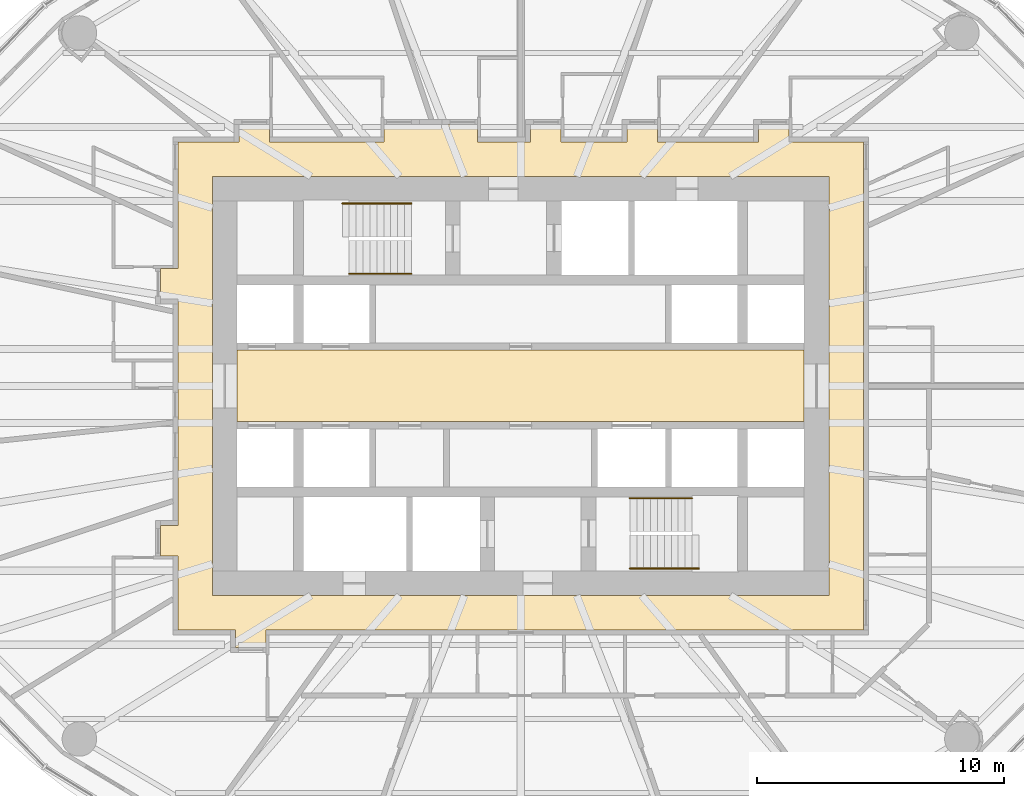
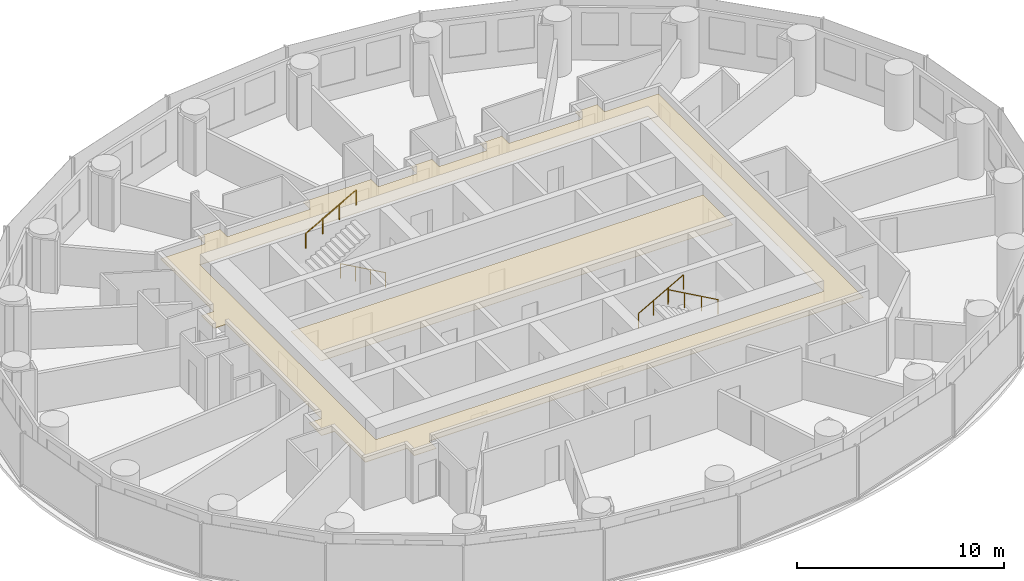
# One storey, part 14 of 14: 4 railings, 2 coverings.
"""IFC4 building model written with IfcOpenShell, lengths in metres."""

from ifc_helpers import new_model, si_unit, direction, frame, origin, origin_2d, place, context, subcontext, project, spatial, polyline, circle, outline, extrude, material, layer, layer_set, type_object, element, save


model = new_model("IFC4")

# Units and contexts
model_context = context("Model", 3, precision=1e-05, world=origin(), true_north=direction((0.0, 1.0)))
body_context = subcontext(model_context, "Body", "Model", "MODEL_VIEW")
ifc_project = project(units=[si_unit("LENGTHUNIT", "METRE"), si_unit("AREAUNIT", "SQUARE_METRE"), si_unit("VOLUMEUNIT", "CUBIC_METRE"), si_unit("PLANEANGLEUNIT", "RADIAN"), si_unit("MASSUNIT", "GRAM", prefix="KILO")], contexts=[model_context])

# Site, building, storey
site_placement = place(None, origin())
site = spatial("IfcSite", under=ifc_project, at=site_placement, CompositionType="ELEMENT")
building_placement = place(site_placement, origin())
building = spatial("IfcBuilding", under=site, at=building_placement, Name="Hankou Lantern Tower", CompositionType="ELEMENT")
storey_placement = place(building_placement, frame((0.0, 0.0, 87.0)))
storey = spatial("IfcBuildingStorey", under=building, at=storey_placement, Name="L22", CompositionType="ELEMENT", Elevation=87.0)

# Coverings
ifc_material_1 = material(Name="Black painted aluminium linear ceiling panels", Category="aluminium")
ifc_layer_1 = layer(ifc_material_1, 0.02490234375)
ifc_layer_set_1 = layer_set([ifc_layer_1], Name="Black painted aluminium linear ceiling panels")
covering_type_1 = type_object("IfcCoveringType", Name="CL1 CORRIDOR CEILING 25", PredefinedType="CEILING", material=ifc_layer_set_1)
covering_1_placement = place(storey_placement, frame((0.0, 0.0, 2.64501953125)))
element("IfcCovering", 1, at=covering_1_placement, inside=storey, type_object=covering_type_1, Name="Corridor ceiling L22", PredefinedType="CEILING", context=body_context, shape_type="SweptSolid", body=[
    extrude(outline(polyline([(-11.569091796875, -10.60009765625), (-10.3291015625, -10.60009765625), (-10.3291015625, -9.89990234375), (13.89990234375, -9.89990234375), (13.89990234375, 9.89990234375), (10.885009765625, 9.89990234375), (10.885009765625, 10.60009765625), (9.64501953125, 10.60009765625), (9.64501953125, 9.89990234375), (5.549072265625, 9.89990234375), (5.549072265625, 10.60009765625), (4.30908203125, 10.60009765625), (4.30908203125, 9.89990234375), (1.642822265625, 9.89990234375), (1.642822265625, 10.60009765625), (0.40283203125, 10.60009765625), (0.40283203125, 9.89990234375), (-1.739990234375, 9.89990234375), (-1.739990234375, 10.60009765625), (-5.549072265625, 10.60009765625), (-5.549072265625, 9.89990234375), (-10.178955078125, 9.89990234375), (-10.178955078125, 10.60009765625), (-11.4189453125, 10.60009765625), (-11.4189453125, 9.89990234375), (-13.89990234375, 9.89990234375), (-13.89990234375, 4.7724609375), (-14.60009765625, 4.7724609375), (-14.60009765625, 3.532470703125), (-13.89990234375, 3.532470703125), (-13.89990234375, -5.658935546875), (-14.60009765625, -5.658935546875), (-14.60009765625, -6.89892578125), (-13.89990234375, -6.89892578125), (-13.89990234375, -9.89990234375), (-11.569091796875, -9.89990234375), (-11.569091796875, -10.60009765625)]), holes=[polyline([(-12.5, 8.5), (12.5, 8.5), (12.5, -8.5), (-12.5, -8.5), (-12.5, 8.5)])]), origin(), (0.0, 0.0, 1.0), 0.02490234375),
])
ifc_material_2 = material(Name="Perforated black aluminium acoustic tray ceiling", Category="aluminium")
ifc_layer_2 = layer(ifc_material_2, 0.014892578125)
ifc_layer_set_2 = layer_set([ifc_layer_2], Name="Perforated black aluminium acoustic tray ceiling")
covering_type_2 = type_object("IfcCoveringType", Name="CL2 LIFT LOBBY CEILING 15", PredefinedType="CEILING", material=ifc_layer_set_2)
covering_2_placement = place(storey_placement, frame((0.0, 0.0, 2.655029296875)))
element("IfcCovering", 2, at=covering_2_placement, inside=storey, type_object=covering_type_2, Name="Lift lobby ceiling L22", PredefinedType="CEILING", context=body_context, shape_type="SweptSolid", body=[
    extrude(outline(polyline([(-11.5, -1.449951171875), (11.5, -1.449951171875), (11.5, 1.449951171875), (-11.5, 1.449951171875), (-11.5, -1.449951171875)])), origin(), (0.0, 0.0, 1.0), 0.014892578125),
])

# Railings
ifc_material_3 = material(Name="Steel handrail", Category="steel")
railing_type = type_object("IfcRailingType", Name="HR1 STAIR HANDRAIL", PredefinedType="HANDRAIL", material=ifc_material_3)
railing_1_placement = place(storey_placement, frame((-4.429931640625, 4.550048828125, 0.89990234375)))
element("IfcRailing", 3, at=railing_1_placement, inside=storey, type_object=railing_type, Name="Handrail stair STA L22 flight 1", PredefinedType="HANDRAIL", context=body_context, shape_type="SweptSolid", body=[
    extrude(circle(Radius=0.02392578125, at=origin_2d()), frame((0.0, 0.0, 0.8759765625), z_axis=(-0.872048945198, 0.0, 0.489418672692), x_axis=(0.0, -1.0, 0.0)), (0.0, 0.0, 1.0), 2.8896484375),
    extrude(circle(Radius=0.02099609375, at=origin_2d()), origin(), (0.0, 0.0, 1.0), 0.851806640625),
    extrude(circle(Radius=0.02099609375, at=origin_2d()), frame((-0.840087890625, 0.0, 0.471435546875)), (0.0, 0.0, 1.0), 0.851806640625),
    extrude(circle(Radius=0.02099609375, at=origin_2d()), frame((-1.679931640625, 0.0, 0.94287109375)), (0.0, 0.0, 1.0), 0.851806640625),
    extrude(circle(Radius=0.02099609375, at=origin_2d()), frame((-2.52001953125, 0.0, 1.414306640625)), (0.0, 0.0, 1.0), 0.851806640625),
])
railing_2_placement = place(storey_placement, frame((-7.22998046875, 7.39990234375, 2.471435546875)))
element("IfcRailing", 4, at=railing_2_placement, inside=storey, type_object=railing_type, Name="Handrail stair STA L22 flight 2", PredefinedType="HANDRAIL", context=body_context, shape_type="SweptSolid", body=[
    extrude(circle(Radius=0.02392578125, at=origin_2d()), frame((0.0, 0.0, 0.8759765625), z_axis=(0.872040151574, 0.0, 0.489434340891), x_axis=(0.0, 1.0, 0.0)), (0.0, 0.0, 1.0), 3.2109375),
    extrude(circle(Radius=0.02099609375, at=origin_2d()), origin(), (0.0, 0.0, 1.0), 0.851806640625),
    extrude(circle(Radius=0.02099609375, at=origin_2d()), frame((0.933349609375, 0.0, 0.52392578125)), (0.0, 0.0, 1.0), 0.851806640625),
    extrude(circle(Radius=0.02099609375, at=origin_2d()), frame((1.86669921875, 0.0, 1.047607421875)), (0.0, 0.0, 1.0), 0.851806640625),
    extrude(circle(Radius=0.02099609375, at=origin_2d()), frame((2.800048828125, 0.0, 1.571533203125)), (0.0, 0.0, 1.0), 0.851806640625),
])
railing_3_placement = place(storey_placement, frame((4.429931640625, -4.550048828125, 0.89990234375)))
element("IfcRailing", 5, at=railing_3_placement, inside=storey, type_object=railing_type, Name="Handrail stair STB L22 flight 1", PredefinedType="HANDRAIL", context=body_context, shape_type="SweptSolid", body=[
    extrude(circle(Radius=0.02392578125, at=origin_2d()), frame((0.0, 0.0, 0.8759765625), z_axis=(0.872048945198, 0.0, 0.489418672692), x_axis=(0.0, 1.0, 0.0)), (0.0, 0.0, 1.0), 2.8896484375),
    extrude(circle(Radius=0.02099609375, at=origin_2d()), origin(), (0.0, 0.0, 1.0), 0.851806640625),
    extrude(circle(Radius=0.02099609375, at=origin_2d()), frame((0.840087890625, 0.0, 0.471435546875)), (0.0, 0.0, 1.0), 0.851806640625),
    extrude(circle(Radius=0.02099609375, at=origin_2d()), frame((1.679931640625, 0.0, 0.94287109375)), (0.0, 0.0, 1.0), 0.851806640625),
    extrude(circle(Radius=0.02099609375, at=origin_2d()), frame((2.52001953125, 0.0, 1.414306640625)), (0.0, 0.0, 1.0), 0.851806640625),
])
railing_4_placement = place(storey_placement, frame((7.22998046875, -7.39990234375, 2.471435546875)))
element("IfcRailing", 6, at=railing_4_placement, inside=storey, type_object=railing_type, Name="Handrail stair STB L22 flight 2", PredefinedType="HANDRAIL", context=body_context, shape_type="SweptSolid", body=[
    extrude(circle(Radius=0.02392578125, at=origin_2d()), frame((0.0, 0.0, 0.8759765625), z_axis=(-0.872040151574, 0.0, 0.489434340891), x_axis=(0.0, -1.0, 0.0)), (0.0, 0.0, 1.0), 3.2109375),
    extrude(circle(Radius=0.02099609375, at=origin_2d()), origin(), (0.0, 0.0, 1.0), 0.851806640625),
    extrude(circle(Radius=0.02099609375, at=origin_2d()), frame((-0.933349609375, 0.0, 0.52392578125)), (0.0, 0.0, 1.0), 0.851806640625),
    extrude(circle(Radius=0.02099609375, at=origin_2d()), frame((-1.86669921875, 0.0, 1.047607421875)), (0.0, 0.0, 1.0), 0.851806640625),
    extrude(circle(Radius=0.02099609375, at=origin_2d()), frame((-2.800048828125, 0.0, 1.571533203125)), (0.0, 0.0, 1.0), 0.851806640625),
])

save(model, "model.ifc")
